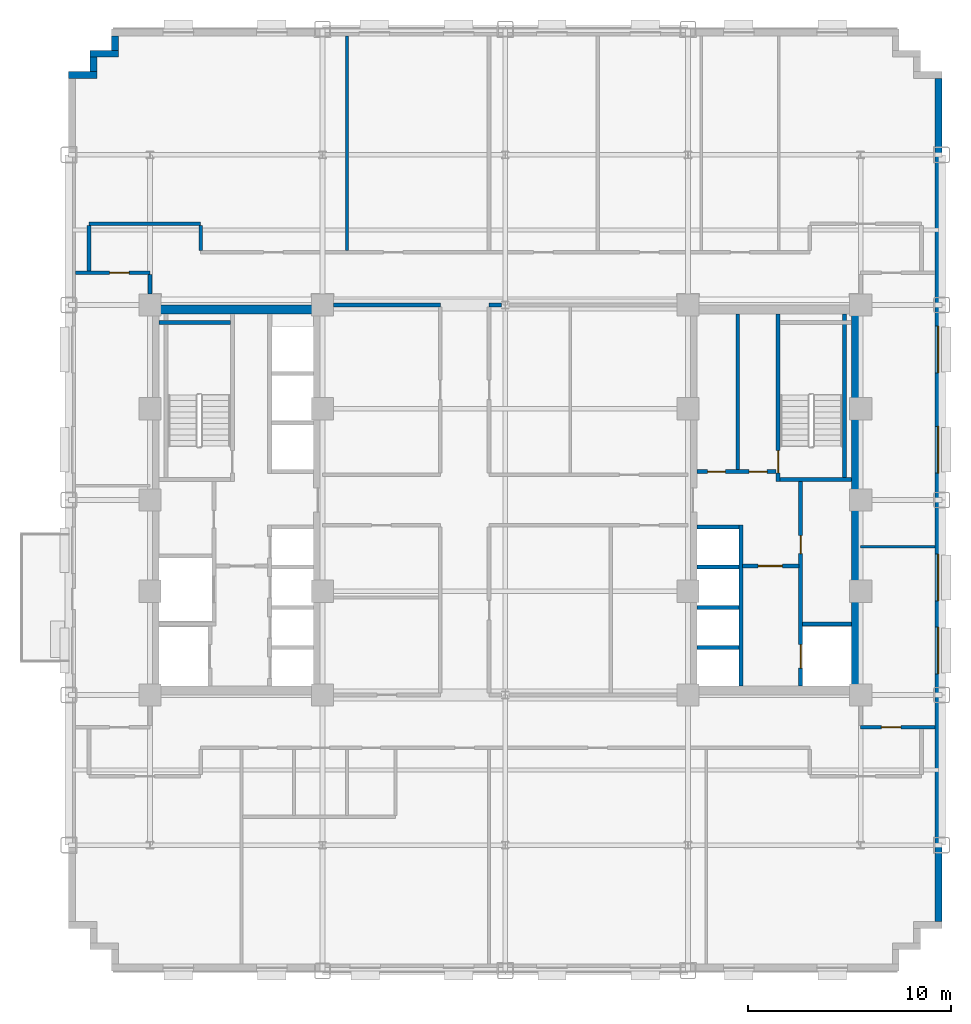
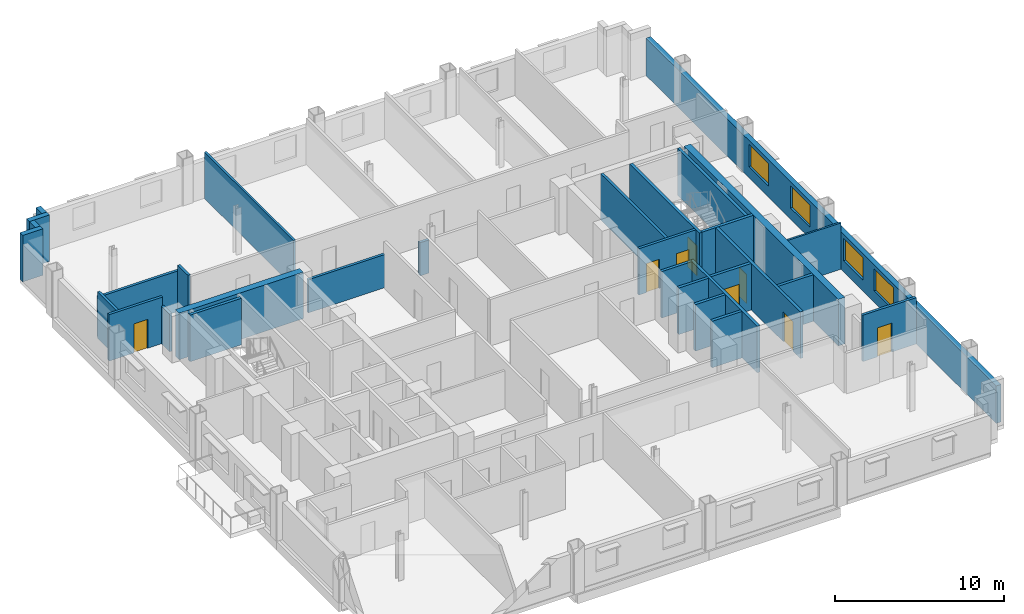
# One storey, part 8 of 13: 31 walls, 8 doors, 4 windows, 12 openings.
"""IFC4 building model written with IfcOpenShell, lengths in metres."""

from ifc_helpers import new_model, si_unit, direction, frame, frame_2d, origin, place, context, subcontext, project, spatial, rectangle, extrude, source, transform, mapped, material, layer, layer_set, type_object, type_shapes, element, fill, save


model = new_model("IFC4")

# Units and contexts
model_context = context("Model", 3, precision=1e-05, world=origin(), true_north=direction((0.0, 1.0)))
body_context = subcontext(model_context, "Body", "Model", "MODEL_VIEW")
ifc_project = project(units=[si_unit("LENGTHUNIT", "METRE"), si_unit("AREAUNIT", "SQUARE_METRE"), si_unit("VOLUMEUNIT", "CUBIC_METRE"), si_unit("PLANEANGLEUNIT", "RADIAN"), si_unit("MASSUNIT", "GRAM", prefix="KILO")], contexts=[model_context])

# Site, building, storey
site_placement = place(None, origin())
site = spatial("IfcSite", under=ifc_project, at=site_placement, CompositionType="ELEMENT")
building_placement = place(site_placement, origin())
building = spatial("IfcBuilding", under=site, at=building_placement, Name="Nuvemarco Arch Tower", CompositionType="ELEMENT")
storey_placement = place(building_placement, frame((0.0, 0.0, 78.699951171875)))
storey = spatial("IfcBuildingStorey", under=building, at=storey_placement, Name="L20", CompositionType="ELEMENT", Elevation=78.699951171875)

# Wall, openings, windows
ifc_material_1 = material(Name="Precast concrete C45/55", Category="concrete")
ifc_layer_1 = layer(ifc_material_1, 0.340087890625, Name="EW-LOW-340")
ifc_layer_set_1 = layer_set([ifc_layer_1], Name="Precast concrete C45/55")
wall_type_1 = type_object("IfcWallType", Name="EW-LOW-340", PredefinedType="STANDARD", material=ifc_layer_set_1)
wall_1_placement = place(storey_placement, frame((21.330078125, -20.763916015625, 0.0), z_axis=(0.0, 0.0, 1.0), x_axis=(0.0, 1.0, 0.0)))
wall_1 = element("IfcWall", 1, at=wall_1_placement, inside=storey, type_object=wall_type_1, Name="L20 exterior precast facade wall 6", PredefinedType="STANDARD", context=body_context, shape_type="SweptSolid", body=[
    extrude(rectangle(XDim=41.52783203125, YDim=0.340087890625, at=frame_2d((20.763916015625, 0.0))), origin(), (0.0, 0.0, 1.0), 2.705078125),
])
opening_1_placement = place(wall_1_placement, frame((12.202392578125, 0.0, 0.800048828125)))
opening_1 = element("IfcOpeningElement", 2, at=opening_1_placement, cuts=wall_1, Name="Opening WN-10", PredefinedType="OPENING", context=body_context, shape_type="SweptSolid", body=[
    extrude(rectangle(XDim=2.300048828125, YDim=1.6201171875, at=frame_2d((1.14990234375, 0.81005859375))), frame((0.0, 0.179931640625, 0.0), z_axis=(0.0, -1.0, 0.0), x_axis=(1.0, 0.0, 0.0)), (0.0, 0.0, 1.0), 0.360107421875),
])
opening_2_placement = place(wall_1_placement, frame((15.79345703125, 0.0, 0.800048828125)))
opening_2 = element("IfcOpeningElement", 3, at=opening_2_placement, cuts=wall_1, Name="Opening WN-10", PredefinedType="OPENING", context=body_context, shape_type="SweptSolid", body=[
    extrude(rectangle(XDim=2.300048828125, YDim=1.6201171875, at=frame_2d((1.14990234375, 0.81005859375))), frame((0.0, 0.179931640625, 0.0), z_axis=(0.0, -1.0, 0.0), x_axis=(1.0, 0.0, 0.0)), (0.0, 0.0, 1.0), 0.360107421875),
])
opening_3_placement = place(wall_1_placement, frame((22.08447265625, 0.0, 0.800048828125)))
opening_3 = element("IfcOpeningElement", 4, at=opening_3_placement, cuts=wall_1, Name="Opening WN-10", PredefinedType="OPENING", context=body_context, shape_type="SweptSolid", body=[
    extrude(rectangle(XDim=2.300048828125, YDim=1.6201171875, at=frame_2d((1.14990234375, 0.81005859375))), frame((0.0, 0.179931640625, 0.0), z_axis=(0.0, -1.0, 0.0), x_axis=(1.0, 0.0, 0.0)), (0.0, 0.0, 1.0), 0.360107421875),
])
opening_4_placement = place(wall_1_placement, frame((27.025390625, 0.0, 0.800048828125)))
opening_4 = element("IfcOpeningElement", 5, at=opening_4_placement, cuts=wall_1, Name="Opening WN-10", PredefinedType="OPENING", context=body_context, shape_type="SweptSolid", body=[
    extrude(rectangle(XDim=2.300048828125, YDim=1.6201171875, at=frame_2d((1.14990234375, 0.81005859375))), frame((0.0, 0.179931640625, 0.0), z_axis=(0.0, -1.0, 0.0), x_axis=(1.0, 0.0, 0.0)), (0.0, 0.0, 1.0), 0.360107421875),
])
ifc_material_2 = material(Name="Insulated solar-control glass", Category="glass")
window_type = type_object("IfcWindowType", Name="WN-STEP-2300x1700", PartitioningType="DOUBLE_PANEL_VERTICAL", PredefinedType="WINDOW", material=ifc_material_2)
shared_shape_1 = source(origin(), body_context, "Body", "SweptSolid", [
    extrude(rectangle(XDim=2.300048828125, YDim=1.6201171875, at=frame_2d((1.14990234375, 0.81005859375))), frame((0.0, 0.030029296875, 0.0), z_axis=(0.0, -1.0, 0.0), x_axis=(1.0, 0.0, 0.0)), (0.0, 0.0, 1.0), 0.06005859375),
])
type_shapes(window_type, [shared_shape_1])
window_1_placement = place(opening_1_placement, origin())
window_1 = element("IfcWindow", 6, at=window_1_placement, inside=storey, type_object=window_type, Name="L20 punched facade window 3", OverallHeight=1.6201171875, OverallWidth=2.300048828125, PartitioningType="SINGLE_PANEL", PredefinedType="WINDOW", context=body_context, shape_type="MappedRepresentation", body=[
    mapped(shared_shape_1, transform((0.0, 0.0, 0.0), scale=1.0)),
])
fill(opening_1, window_1)
window_2_placement = place(opening_2_placement, origin())
window_2 = element("IfcWindow", 7, at=window_2_placement, inside=storey, type_object=window_type, Name="L20 punched facade window 4", OverallHeight=1.6201171875, OverallWidth=2.300048828125, PartitioningType="SINGLE_PANEL", PredefinedType="WINDOW", context=body_context, shape_type="MappedRepresentation", body=[
    mapped(shared_shape_1, transform((0.0, 0.0, 0.0), scale=1.0)),
])
fill(opening_2, window_2)
window_3_placement = place(opening_3_placement, origin())
window_3 = element("IfcWindow", 8, at=window_3_placement, inside=storey, type_object=window_type, Name="L20 punched facade window 5", OverallHeight=1.6201171875, OverallWidth=2.300048828125, PartitioningType="SINGLE_PANEL", PredefinedType="WINDOW", context=body_context, shape_type="MappedRepresentation", body=[
    mapped(shared_shape_1, transform((0.0, 0.0, 0.0), scale=1.0)),
])
fill(opening_3, window_3)
window_4_placement = place(opening_4_placement, origin())
window_4 = element("IfcWindow", 9, at=window_4_placement, inside=storey, type_object=window_type, Name="L20 punched facade window 6", OverallHeight=1.6201171875, OverallWidth=2.300048828125, PartitioningType="SINGLE_PANEL", PredefinedType="WINDOW", context=body_context, shape_type="MappedRepresentation", body=[
    mapped(shared_shape_1, transform((0.0, 0.0, 0.0), scale=1.0)),
])
fill(opening_4, window_4)

# Walls
wall_2_placement = place(storey_placement, frame((-19.22998046875, 22.14599609375, 0.0), z_axis=(0.0, 0.0, 1.0), x_axis=(0.0, 1.0, 0.0)))
element("IfcWall", 10, at=wall_2_placement, inside=storey, type_object=wall_type_1, Name="L20 exterior precast facade wall 12", PredefinedType="STANDARD", context=body_context, shape_type="SweptSolid", body=[
    extrude(rectangle(XDim=0.718017578125, YDim=0.340087890625, at=frame_2d((0.35888671875, 0.0))), origin(), (0.0, 0.0, 1.0), 3.360107421875),
])
wall_3_placement = place(storey_placement, frame((-20.449951171875, 21.97998046875, 0.0), z_axis=(0.0, 0.0, 1.0), x_axis=(1.0, 0.0, 0.0)))
element("IfcWall", 11, at=wall_3_placement, inside=storey, type_object=wall_type_1, Name="L20 exterior precast facade wall 13", PredefinedType="STANDARD", context=body_context, shape_type="SweptSolid", body=[
    extrude(rectangle(XDim=1.389892578125, YDim=0.340087890625, at=frame_2d((0.69482421875, 0.0))), origin(), (0.0, 0.0, 1.0), 3.360107421875),
])
wall_4_placement = place(storey_placement, frame((-20.280029296875, 21.095947265625, 0.0), z_axis=(0.0, 0.0, 1.0), x_axis=(0.0, 1.0, 0.0)))
element("IfcWall", 12, at=wall_4_placement, inside=storey, type_object=wall_type_1, Name="L20 exterior precast facade wall 14", PredefinedType="STANDARD", context=body_context, shape_type="SweptSolid", body=[
    extrude(rectangle(XDim=0.718017578125, YDim=0.340087890625, at=frame_2d((0.35888671875, 0.0))), origin(), (0.0, 0.0, 1.0), 3.360107421875),
])
wall_5_placement = place(storey_placement, frame((-21.5, 20.929931640625, 0.0), z_axis=(0.0, 0.0, 1.0), x_axis=(1.0, 0.0, 0.0)))
element("IfcWall", 13, at=wall_5_placement, inside=storey, type_object=wall_type_1, Name="L20 exterior precast facade wall 15", PredefinedType="STANDARD", context=body_context, shape_type="SweptSolid", body=[
    extrude(rectangle(XDim=1.389892578125, YDim=0.340087890625, at=frame_2d((0.69482421875, 0.0))), origin(), (0.0, 0.0, 1.0), 3.360107421875),
])
ifc_material_3 = material(Name="Concrete C60/75", Category="concrete")
ifc_layer_2 = layer(ifc_material_3, 0.449951171875, Name="WL-CORE-450")
ifc_layer_set_2 = layer_set([ifc_layer_2], Name="Concrete C60/75")
wall_type_2 = type_object("IfcWallType", Name="WL-CORE-450", PredefinedType="SHEAR", material=ifc_layer_set_2)
wall_6_placement = place(storey_placement, frame((-17.5, 9.375, 0.0), z_axis=(0.0, 0.0, 1.0), x_axis=(1.0, 0.0, 0.0)))
element("IfcWall", 14, at=wall_6_placement, inside=storey, type_object=wall_type_2, Name="L20 W-core shear wall N", PredefinedType="SHEAR", context=body_context, shape_type="SweptSolid", body=[
    extrude(rectangle(XDim=8.5, YDim=0.449951171875, at=frame_2d((4.25, 0.0))), origin(), (0.0, 0.0, 1.0), 3.3701171875),
])
wall_7_placement = place(storey_placement, frame((17.27490234375, -9.155029296875, 0.0), z_axis=(0.0, 0.0, 1.0), x_axis=(0.0, 1.0, 0.0)))
element("IfcWall", 15, at=wall_7_placement, inside=storey, type_object=wall_type_2, Name="L20 E-core shear wall E", PredefinedType="SHEAR", context=body_context, shape_type="SweptSolid", body=[
    extrude(rectangle(XDim=18.31005859375, YDim=0.449951171875, at=frame_2d((9.155029296875, 0.0))), origin(), (0.0, 0.0, 1.0), 3.3701171875),
])

# Wall, openings, doors
ifc_material_4 = material(Name="Fire-rated gypsum drywall partition")
ifc_layer_3 = layer(ifc_material_4, 0.179931640625, Name="WL-CORR-180")
ifc_layer_set_3 = layer_set([ifc_layer_3], Name="Fire-rated gypsum drywall partition")
wall_type_3 = type_object("IfcWallType", Name="WL-CORR-180", PredefinedType="PARTITIONING", material=ifc_layer_set_3)
wall_8_placement = place(storey_placement, frame((9.445068359375, 1.39990234375, 0.0), z_axis=(0.0, 0.0, 1.0), x_axis=(1.0, 0.0, 0.0)))
wall_8 = element("IfcWall", 16, at=wall_8_placement, inside=storey, type_object=wall_type_3, Name="L20 interior wall IW-L20-EK-S", PredefinedType="PARTITIONING", context=body_context, shape_type="SweptSolid", body=[
    extrude(rectangle(XDim=3.89990234375, YDim=0.179931640625, at=frame_2d((1.949951171875, 0.0))), origin(), (0.0, 0.0, 1.0), 3.360107421875),
])
opening_5_placement = place(wall_8_placement, frame((0.514892578125, 0.0, 0.0)))
opening_5 = element("IfcOpeningElement", 17, at=opening_5_placement, cuts=wall_8, Name="Opening FD-4", PredefinedType="OPENING", context=body_context, shape_type="SweptSolid", body=[
    extrude(rectangle(XDim=0.8798828125, YDim=2.10009765625, at=frame_2d((0.43994140625, 1.050048828125))), frame((0.0, 0.099853515625, 0.0), z_axis=(0.0, -1.0, 0.0), x_axis=(1.0, 0.0, 0.0)), (0.0, 0.0, 1.0), 0.199951171875),
])
opening_6_placement = place(wall_8_placement, frame((2.56494140625, 0.0, 0.0)))
opening_6 = element("IfcOpeningElement", 18, at=opening_6_placement, cuts=wall_8, Name="Opening FD-4", PredefinedType="OPENING", context=body_context, shape_type="SweptSolid", body=[
    extrude(rectangle(XDim=0.8798828125, YDim=2.10009765625, at=frame_2d((0.43994140625, 1.050048828125))), frame((0.0, 0.099853515625, 0.0), z_axis=(0.0, -1.0, 0.0), x_axis=(1.0, 0.0, 0.0)), (0.0, 0.0, 1.0), 0.199951171875),
])
ifc_material_5 = material(Name="Anodised steel fire door", Category="steel")
door_type_1 = type_object("IfcDoorType", Name="DR-RISER-FD", OperationType="NOTDEFINED", PredefinedType="DOOR", material=ifc_material_5)
shared_shape_2 = source(origin(), body_context, "Body", "SweptSolid", [
    extrude(rectangle(XDim=0.8798828125, YDim=2.10009765625, at=frame_2d((0.43994140625, 1.050048828125))), frame((0.0, 0.02490234375, 0.0), z_axis=(0.0, -1.0, 0.0), x_axis=(1.0, 0.0, 0.0)), (0.0, 0.0, 1.0), 0.050048828125),
])
type_shapes(door_type_1, [shared_shape_2])
door_1_placement = place(opening_5_placement, origin())
door_1 = element("IfcDoor", 19, at=door_1_placement, inside=storey, type_object=door_type_1, Name="L20 door FD-L20-EK2A", OperationType="SINGLE_SWING_LEFT", OverallHeight=2.10009765625, OverallWidth=0.8798828125, PredefinedType="DOOR", context=body_context, shape_type="MappedRepresentation", body=[
    mapped(shared_shape_2, transform((0.0, 0.0, 0.0), scale=1.0)),
])
fill(opening_5, door_1)
door_2_placement = place(opening_6_placement, origin())
door_2 = element("IfcDoor", 20, at=door_2_placement, inside=storey, type_object=door_type_1, Name="L20 door FD-L20-EK2B", OperationType="SINGLE_SWING_RIGHT", OverallHeight=2.10009765625, OverallWidth=0.8798828125, PredefinedType="DOOR", context=body_context, shape_type="MappedRepresentation", body=[
    mapped(shared_shape_2, transform((0.0, 0.0, 0.0), scale=1.0)),
])
fill(opening_6, door_2)

# Wall
wall_9_placement = place(storey_placement, frame((11.449951171875, 1.489990234375, 0.0), z_axis=(0.0, 0.0, 1.0), x_axis=(0.0, 1.0, 0.0)))
element("IfcWall", 21, at=wall_9_placement, inside=storey, type_object=wall_type_3, Name="L20 interior wall IW-L20-EK2", PredefinedType="PARTITIONING", context=body_context, shape_type="SweptSolid", body=[
    extrude(rectangle(XDim=7.6650390625, YDim=0.179931640625, at=frame_2d((3.83251953125, 0.0))), origin(), (0.0, 0.0, 1.0), 3.360107421875),
])

# Wall, opening, door
wall_10_placement = place(storey_placement, frame((17.5, -11.199951171875, 0.0), z_axis=(0.0, 0.0, 1.0), x_axis=(1.0, 0.0, 0.0)))
wall_10 = element("IfcWall", 22, at=wall_10_placement, inside=storey, type_object=wall_type_3, Name="L20 interior wall IW-L20-006", PredefinedType="PARTITIONING", context=body_context, shape_type="SweptSolid", body=[
    extrude(rectangle(XDim=3.659912109375, YDim=0.179931640625, at=frame_2d((1.830078125, 0.0))), origin(), (0.0, 0.0, 1.0), 3.360107421875),
])
opening_7_placement = place(wall_10_placement, frame((1.02001953125, 0.0, 0.0)))
opening_7 = element("IfcOpeningElement", 23, at=opening_7_placement, cuts=wall_10, Name="Opening FD-5", PredefinedType="OPENING", context=body_context, shape_type="SweptSolid", body=[
    extrude(rectangle(XDim=0.9599609375, YDim=2.10009765625, at=frame_2d((0.47998046875, 1.050048828125))), frame((0.0, 0.099853515625, 0.0), z_axis=(0.0, -1.0, 0.0), x_axis=(1.0, 0.0, 0.0)), (0.0, 0.0, 1.0), 0.199951171875),
])
ifc_material_6 = material(Name="Timber fire door", Category="wood")
door_type_2 = type_object("IfcDoorType", Name="DR-CORR-FD", OperationType="NOTDEFINED", PredefinedType="DOOR", material=ifc_material_6)
shared_shape_3 = source(origin(), body_context, "Body", "SweptSolid", [
    extrude(rectangle(XDim=0.9599609375, YDim=2.10009765625, at=frame_2d((0.47998046875, 1.050048828125))), frame((0.0, 0.02490234375, 0.0), z_axis=(0.0, -1.0, 0.0), x_axis=(1.0, 0.0, 0.0)), (0.0, 0.0, 1.0), 0.050048828125),
])
type_shapes(door_type_2, [shared_shape_3])
door_3_placement = place(opening_7_placement, origin())
door_3 = element("IfcDoor", 24, at=door_3_placement, inside=storey, type_object=door_type_2, Name="L20 door DR-L20-E_1", OperationType="SINGLE_SWING_LEFT", OverallHeight=2.10009765625, OverallWidth=0.9599609375, PredefinedType="DOOR", context=body_context, shape_type="MappedRepresentation", body=[
    mapped(shared_shape_3, transform((0.0, 0.0, 0.0), scale=1.0)),
])
fill(opening_7, door_3)

# Walls
wall_11_placement = place(storey_placement, frame((-8.4541015625, 9.60009765625, 0.0), z_axis=(0.0, 0.0, 1.0), x_axis=(1.0, 0.0, 0.0)))
element("IfcWall", 25, at=wall_11_placement, inside=storey, type_object=wall_type_3, Name="L20 interior wall IW-L20-017", PredefinedType="PARTITIONING", context=body_context, shape_type="SweptSolid", body=[
    extrude(rectangle(XDim=5.254150390625, YDim=0.179931640625, at=frame_2d((2.626953125, 0.0))), origin(), (0.0, 0.0, 1.0), 2.405029296875),
])
wall_12_placement = place(storey_placement, frame((-0.800048828125, 9.60009765625, 0.0), z_axis=(0.0, 0.0, 1.0), x_axis=(1.0, 0.0, 0.0)))
element("IfcWall", 26, at=wall_12_placement, inside=storey, type_object=wall_type_3, Name="L20 interior wall IW-L20-018", PredefinedType="PARTITIONING", context=body_context, shape_type="SweptSolid", body=[
    extrude(rectangle(XDim=0.6240234375, YDim=0.179931640625, at=frame_2d((0.31201171875, 0.0))), origin(), (0.0, 0.0, 1.0), 2.405029296875),
])

# Wall, opening, door
wall_13_placement = place(storey_placement, frame((-21.159912109375, 11.199951171875, 0.0), z_axis=(0.0, 0.0, 1.0), x_axis=(1.0, 0.0, 0.0)))
wall_13 = element("IfcWall", 27, at=wall_13_placement, inside=storey, type_object=wall_type_3, Name="L20 interior wall IW-L20-020", PredefinedType="PARTITIONING", context=body_context, shape_type="SweptSolid", body=[
    extrude(rectangle(XDim=3.659912109375, YDim=0.179931640625, at=frame_2d((1.830078125, 0.0))), origin(), (0.0, 0.0, 1.0), 3.360107421875),
])
opening_8_placement = place(wall_13_placement, frame((1.679931640625, 0.0, 0.0)))
opening_8 = element("IfcOpeningElement", 28, at=opening_8_placement, cuts=wall_13, Name="Opening FD-5", PredefinedType="OPENING", context=body_context, shape_type="SweptSolid", body=[
    extrude(rectangle(XDim=0.9599609375, YDim=2.10009765625, at=frame_2d((0.47998046875, 1.050048828125))), frame((0.0, 0.099853515625, 0.0), z_axis=(0.0, -1.0, 0.0), x_axis=(1.0, 0.0, 0.0)), (0.0, 0.0, 1.0), 0.199951171875),
])
door_4_placement = place(opening_8_placement, origin())
door_4 = element("IfcDoor", 29, at=door_4_placement, inside=storey, type_object=door_type_2, Name="L20 door DR-L20-W_2", OperationType="SINGLE_SWING_RIGHT", OverallHeight=2.10009765625, OverallWidth=0.9599609375, PredefinedType="DOOR", context=body_context, shape_type="MappedRepresentation", body=[
    mapped(shared_shape_3, transform((0.0, 0.0, 0.0), scale=1.0)),
])
fill(opening_8, door_4)

# Walls
wall_14_placement = place(storey_placement, frame((-20.5, 13.60009765625, 0.0), z_axis=(0.0, 0.0, 1.0), x_axis=(1.0, 0.0, 0.0)))
element("IfcWall", 30, at=wall_14_placement, inside=storey, type_object=wall_type_3, Name="L20 interior wall IW-L20-023", PredefinedType="PARTITIONING", context=body_context, shape_type="SweptSolid", body=[
    extrude(rectangle(XDim=5.5, YDim=0.179931640625, at=frame_2d((2.75, 0.0))), origin(), (0.0, 0.0, 1.0), 2.942138671875),
])
wall_15_placement = place(storey_placement, frame((-20.5, 11.285888671875, 0.0), z_axis=(0.0, 0.0, 1.0), x_axis=(0.0, 1.0, 0.0)))
element("IfcWall", 31, at=wall_15_placement, inside=storey, type_object=wall_type_3, Name="L20 interior wall IW-L20-026", PredefinedType="PARTITIONING", context=body_context, shape_type="SweptSolid", body=[
    extrude(rectangle(XDim=2.22802734375, YDim=0.179931640625, at=frame_2d((1.114013671875, 0.0))), origin(), (0.0, 0.0, 1.0), 3.360107421875),
])
wall_16_placement = place(storey_placement, frame((-17.5, 10.14599609375, 0.0), z_axis=(0.0, 0.0, 1.0), x_axis=(0.0, 1.0, 0.0)))
element("IfcWall", 32, at=wall_16_placement, inside=storey, type_object=wall_type_3, Name="L20 interior wall IW-L20-028", PredefinedType="PARTITIONING", context=body_context, shape_type="SweptSolid", body=[
    extrude(rectangle(XDim=0.968017578125, YDim=0.179931640625, at=frame_2d((0.48388671875, 0.0))), origin(), (0.0, 0.0, 1.0), 2.738037109375),
])
wall_17_placement = place(storey_placement, frame((-15.0, 12.285888671875, 0.0), z_axis=(0.0, 0.0, 1.0), x_axis=(0.0, 1.0, 0.0)))
element("IfcWall", 33, at=wall_17_placement, inside=storey, type_object=wall_type_3, Name="L20 interior wall IW-L20-030", PredefinedType="PARTITIONING", context=body_context, shape_type="SweptSolid", body=[
    extrude(rectangle(XDim=1.22802734375, YDim=0.179931640625, at=frame_2d((0.614013671875, 0.0))), origin(), (0.0, 0.0, 1.0), 3.360107421875),
])
ifc_material_7 = material(Name="Glazed acoustic office partition")
ifc_layer_4 = layer(ifc_material_7, 0.1298828125, Name="WL-EXEC-130")
ifc_layer_set_4 = layer_set([ifc_layer_4], Name="Glazed acoustic office partition")
wall_type_4 = type_object("IfcWallType", Name="WL-EXEC-130", PredefinedType="PARTITIONING", material=ifc_layer_set_4)
wall_18_placement = place(storey_placement, frame((17.5, -2.300048828125, 0.0), z_axis=(0.0, 0.0, 1.0), x_axis=(1.0, 0.0, 0.0)))
element("IfcWall", 34, at=wall_18_placement, inside=storey, type_object=wall_type_4, Name="L20 interior wall IW-L20-011", PredefinedType="PARTITIONING", context=body_context, shape_type="SweptSolid", body=[
    extrude(rectangle(XDim=3.659912109375, YDim=0.1298828125, at=frame_2d((1.830078125, 0.0))), origin(), (0.0, 0.0, 1.0), 3.360107421875),
])
ifc_material_8 = material(Name="Gypsum plasterboard partition")
ifc_layer_5 = layer(ifc_material_8, 0.139892578125, Name="WL-ROOM-140")
ifc_layer_set_5 = layer_set([ifc_layer_5], Name="Gypsum plasterboard partition")
wall_type_5 = type_object("IfcWallType", Name="WL-ROOM-140", PredefinedType="PARTITIONING", material=ifc_layer_set_5)
wall_19_placement = place(storey_placement, frame((-7.800048828125, 12.285888671875, 0.0), z_axis=(0.0, 0.0, 1.0), x_axis=(0.0, 1.0, 0.0)))
element("IfcWall", 35, at=wall_19_placement, inside=storey, type_object=wall_type_5, Name="L20 interior wall IW-L20-034", PredefinedType="PARTITIONING", context=body_context, shape_type="SweptSolid", body=[
    extrude(rectangle(XDim=10.57421875, YDim=0.139892578125, at=frame_2d((5.287109375, 0.0))), origin(), (0.0, 0.0, 1.0), 3.360107421875),
])
ifc_material_9 = material(Name="Concrete C50/60", Category="concrete")
ifc_layer_6 = layer(ifc_material_9, 0.199951171875, Name="WL-SHAFT-220")
ifc_layer_set_6 = layer_set([ifc_layer_6], Name="Concrete C50/60")
wall_type_6 = type_object("IfcWallType", Name="WL-SHAFT-220", PredefinedType="SHEAR", material=ifc_layer_set_6)
wall_20_placement = place(storey_placement, frame((-17.054931640625, 8.75, 0.0), z_axis=(0.0, 0.0, 1.0), x_axis=(1.0, 0.0, 0.0)))
element("IfcWall", 36, at=wall_20_placement, inside=storey, type_object=wall_type_6, Name="L20 structural shaft wall SW-L20-W-ST1N", PredefinedType="SHEAR", context=body_context, shape_type="SweptSolid", body=[
    extrude(rectangle(XDim=3.52001953125, YDim=0.199951171875, at=frame_2d((1.760009765625, 0.0))), origin(), (0.0, 0.0, 1.0), 3.3701171875),
])

# Wall, opening, door
wall_21_placement = place(storey_placement, frame((13.43994140625, 0.89990234375, 0.0), z_axis=(0.0, 0.0, 1.0), x_axis=(0.0, 1.0, 0.0)))
wall_21 = element("IfcWall", 37, at=wall_21_placement, inside=storey, type_object=wall_type_6, Name="L20 structural shaft wall SW-L20-E-ST2W", PredefinedType="SHEAR", context=body_context, shape_type="SweptSolid", body=[
    extrude(rectangle(XDim=8.255126953125, YDim=0.199951171875, at=frame_2d((4.12744140625, 0.0))), origin(), (0.0, 0.0, 1.0), 3.3701171875),
])
opening_9_placement = place(wall_21_placement, frame((0.429931640625, 0.0, 0.0)))
opening_9 = element("IfcOpeningElement", 38, at=opening_9_placement, cuts=wall_21, Name="Opening FD-1", PredefinedType="OPENING", context=body_context, shape_type="SweptSolid", body=[
    extrude(rectangle(XDim=1.10009765625, YDim=2.14990234375, at=frame_2d((0.550048828125, 1.074951171875))), frame((0.0, 0.10986328125, 0.0), z_axis=(0.0, -1.0, 0.0), x_axis=(1.0, 0.0, 0.0)), (0.0, 0.0, 1.0), 0.219970703125),
])
door_type_3 = type_object("IfcDoorType", Name="DR-STAIR-FD", OperationType="NOTDEFINED", PredefinedType="DOOR", material=ifc_material_5)
shared_shape_4 = source(origin(), body_context, "Body", "SweptSolid", [
    extrude(rectangle(XDim=1.10009765625, YDim=2.14990234375, at=frame_2d((0.550048828125, 1.074951171875))), frame((0.0, 0.02490234375, 0.0), z_axis=(0.0, -1.0, 0.0), x_axis=(1.0, 0.0, 0.0)), (0.0, 0.0, 1.0), 0.050048828125),
])
type_shapes(door_type_3, [shared_shape_4])
door_5_placement = place(opening_9_placement, origin())
door_5 = element("IfcDoor", 39, at=door_5_placement, inside=storey, type_object=door_type_3, Name="L20 door FD-L20-ST2", OperationType="SINGLE_SWING_RIGHT", OverallHeight=2.14990234375, OverallWidth=1.10009765625, PredefinedType="DOOR", context=body_context, shape_type="MappedRepresentation", body=[
    mapped(shared_shape_4, transform((0.0, 0.0, 0.0), scale=1.0)),
])
fill(opening_9, door_5)

# Walls
wall_22_placement = place(storey_placement, frame((13.534912109375, 1.0, 0.0), z_axis=(0.0, 0.0, 1.0), x_axis=(1.0, 0.0, 0.0)))
element("IfcWall", 40, at=wall_22_placement, inside=storey, type_object=wall_type_6, Name="L20 structural shaft wall SW-L20-E-ST2S", PredefinedType="SHEAR", context=body_context, shape_type="SweptSolid", body=[
    extrude(rectangle(XDim=3.52001953125, YDim=0.199951171875, at=frame_2d((1.760009765625, 0.0))), origin(), (0.0, 0.0, 1.0), 3.3701171875),
])
wall_23_placement = place(storey_placement, frame((16.699951171875, 1.094970703125, 0.0), z_axis=(0.0, 0.0, 1.0), x_axis=(0.0, 1.0, 0.0)))
element("IfcWall", 41, at=wall_23_placement, inside=storey, type_object=wall_type_6, Name="L20 structural shaft wall SW-L20-E-ST2E", PredefinedType="SHEAR", context=body_context, shape_type="SweptSolid", body=[
    extrude(rectangle(XDim=8.06005859375, YDim=0.199951171875, at=frame_2d((4.030029296875, 0.0))), origin(), (0.0, 0.0, 1.0), 3.3701171875),
])

# Wall, openings, doors
wall_24_placement = place(storey_placement, frame((14.550048828125, -9.155029296875, 0.0), z_axis=(0.0, 0.0, 1.0), x_axis=(0.0, 1.0, 0.0)))
wall_24 = element("IfcWall", 42, at=wall_24_placement, inside=storey, type_object=wall_type_6, Name="L20 structural shaft wall SW-L20-E-SHW", PredefinedType="SHEAR", context=body_context, shape_type="SweptSolid", body=[
    extrude(rectangle(XDim=10.06005859375, YDim=0.199951171875, at=frame_2d((5.030029296875, 0.0))), origin(), (0.0, 0.0, 1.0), 3.3701171875),
])
opening_10_placement = place(wall_24_placement, frame((6.514892578125, 0.0, 0.0)))
opening_10 = element("IfcOpeningElement", 43, at=opening_10_placement, cuts=wall_24, Name="Opening FD-4", PredefinedType="OPENING", context=body_context, shape_type="SweptSolid", body=[
    extrude(rectangle(XDim=0.8798828125, YDim=2.10009765625, at=frame_2d((0.43994140625, 1.050048828125))), frame((0.0, 0.10986328125, 0.0), z_axis=(0.0, -1.0, 0.0), x_axis=(1.0, 0.0, 0.0)), (0.0, 0.0, 1.0), 0.219970703125),
])
opening_11_placement = place(wall_24_placement, frame((0.8798828125, 0.0, 0.0)))
opening_11 = element("IfcOpeningElement", 44, at=opening_11_placement, cuts=wall_24, Name="Opening LD-2", PredefinedType="OPENING", context=body_context, shape_type="SweptSolid", body=[
    extrude(rectangle(XDim=1.14990234375, YDim=2.14990234375, at=frame_2d((0.574951171875, 1.074951171875))), frame((0.0, 0.10986328125, 0.0), z_axis=(0.0, -1.0, 0.0), x_axis=(1.0, 0.0, 0.0)), (0.0, 0.0, 1.0), 0.219970703125),
])
door_6_placement = place(opening_10_placement, origin())
door_6 = element("IfcDoor", 45, at=door_6_placement, inside=storey, type_object=door_type_1, Name="L20 door FD-L20-ERIS", OperationType="SINGLE_SWING_RIGHT", OverallHeight=2.10009765625, OverallWidth=0.8798828125, PredefinedType="DOOR", context=body_context, shape_type="MappedRepresentation", body=[
    mapped(shared_shape_2, transform((0.0, 0.0, 0.0), scale=1.0)),
])
fill(opening_10, door_6)
ifc_material_10 = material(Name="Stainless steel lift door", Category="steel")
door_type_4 = type_object("IfcDoorType", Name="DR-LIFT-FIRE", OperationType="DOUBLE_DOOR_SLIDING", PredefinedType="DOOR", material=ifc_material_10)
shared_shape_5 = source(origin(), body_context, "Body", "SweptSolid", [
    extrude(rectangle(XDim=1.14990234375, YDim=2.14990234375, at=frame_2d((0.574951171875, 1.074951171875))), frame((0.0, 0.02490234375, 0.0), z_axis=(0.0, -1.0, 0.0), x_axis=(1.0, 0.0, 0.0)), (0.0, 0.0, 1.0), 0.050048828125),
])
type_shapes(door_type_4, [shared_shape_5])
door_7_placement = place(opening_11_placement, origin())
door_7 = element("IfcDoor", 46, at=door_7_placement, inside=storey, type_object=door_type_4, Name="L20 Lift landing sliding door FFL-2", OperationType="DOUBLE_DOOR_SLIDING", OverallHeight=2.14990234375, OverallWidth=1.14990234375, PredefinedType="DOOR", context=body_context, shape_type="MappedRepresentation", body=[
    mapped(shared_shape_5, transform((0.0, 0.0, 0.0), scale=1.0)),
])
fill(opening_11, door_7)

# Walls
wall_25_placement = place(storey_placement, frame((14.64501953125, -6.10009765625, 0.0), z_axis=(0.0, 0.0, 1.0), x_axis=(1.0, 0.0, 0.0)))
element("IfcWall", 47, at=wall_25_placement, inside=storey, type_object=wall_type_6, Name="L20 structural shaft wall SW-L20-E-SH1", PredefinedType="SHEAR", context=body_context, shape_type="SweptSolid", body=[
    extrude(rectangle(XDim=2.409912109375, YDim=0.199951171875, at=frame_2d((1.205078125, 0.0))), origin(), (0.0, 0.0, 1.0), 3.3701171875),
])
wall_26_placement = place(storey_placement, frame((11.60009765625, -9.155029296875, 0.0), z_axis=(0.0, 0.0, 1.0), x_axis=(0.0, 1.0, 0.0)))
element("IfcWall", 48, at=wall_26_placement, inside=storey, type_object=wall_type_6, Name="L20 structural shaft wall SW-L20-E-PME", PredefinedType="SHEAR", context=body_context, shape_type="SweptSolid", body=[
    extrude(rectangle(XDim=7.925048828125, YDim=0.199951171875, at=frame_2d((3.96240234375, 0.0))), origin(), (0.0, 0.0, 1.0), 3.3701171875),
])

# Wall, opening, door
wall_27_placement = place(storey_placement, frame((11.695068359375, -3.25, 0.0), z_axis=(0.0, 0.0, 1.0), x_axis=(1.0, 0.0, 0.0)))
wall_27 = element("IfcWall", 49, at=wall_27_placement, inside=storey, type_object=wall_type_6, Name="L20 structural shaft wall SW-L20-E-FFN", PredefinedType="SHEAR", context=body_context, shape_type="SweptSolid", body=[
    extrude(rectangle(XDim=2.760009765625, YDim=0.199951171875, at=frame_2d((1.3798828125, 0.0))), origin(), (0.0, 0.0, 1.0), 3.3701171875),
])
opening_12_placement = place(wall_27_placement, frame((0.7548828125, 0.0, 0.0)))
opening_12 = element("IfcOpeningElement", 50, at=opening_12_placement, cuts=wall_27, Name="Opening FD-2", PredefinedType="OPENING", context=body_context, shape_type="SweptSolid", body=[
    extrude(rectangle(XDim=1.199951171875, YDim=2.14990234375, at=frame_2d((0.60009765625, 1.074951171875))), frame((0.0, 0.10986328125, 0.0), z_axis=(0.0, -1.0, 0.0), x_axis=(1.0, 0.0, 0.0)), (0.0, 0.0, 1.0), 0.219970703125),
])
door_type_5 = type_object("IfcDoorType", Name="DR-FFLOB-FD", OperationType="NOTDEFINED", PredefinedType="DOOR", material=ifc_material_5)
shared_shape_6 = source(origin(), body_context, "Body", "SweptSolid", [
    extrude(rectangle(XDim=1.199951171875, YDim=2.14990234375, at=frame_2d((0.60009765625, 1.074951171875))), frame((0.0, 0.02490234375, 0.0), z_axis=(0.0, -1.0, 0.0), x_axis=(1.0, 0.0, 0.0)), (0.0, 0.0, 1.0), 0.050048828125),
])
type_shapes(door_type_5, [shared_shape_6])
door_8_placement = place(opening_12_placement, origin())
door_8 = element("IfcDoor", 51, at=door_8_placement, inside=storey, type_object=door_type_5, Name="L20 door FD-L20-EFF2", OperationType="SINGLE_SWING_RIGHT", OverallHeight=2.14990234375, OverallWidth=1.199951171875, PredefinedType="DOOR", context=body_context, shape_type="MappedRepresentation", body=[
    mapped(shared_shape_6, transform((0.0, 0.0, 0.0), scale=1.0)),
])
fill(opening_12, door_8)

# Walls
for number, where, z_axis, x_axis, name in (
    (52, (9.445068359375, -7.27001953125, 0.0), (0.0, 0.0, 1.0), (1.0, 0.0, 0.0), "L20 structural shaft wall SW-L20-E-PMD1"),
    (53, (9.445068359375, -5.2900390625, 0.0), (0.0, 0.0, 1.0), (1.0, 0.0, 0.0), "L20 structural shaft wall SW-L20-E-PMD2"),
    (54, (9.445068359375, -3.31005859375, 0.0), (0.0, 0.0, 1.0), (1.0, 0.0, 0.0), "L20 structural shaft wall SW-L20-E-PMD3"),
    (55, (9.445068359375, -1.330078125, 0.0), (0.0, 0.0, 1.0), (1.0, 0.0, 0.0), "L20 structural shaft wall SW-L20-E-PMD4"),
):
    element("IfcWall", number, at=place(storey_placement, frame(where, z_axis=z_axis, x_axis=x_axis)), inside=storey, type_object=wall_type_6, Name=name, PredefinedType="SHEAR", context=body_context, shape_type="SweptSolid", body=[
        extrude(rectangle(XDim=2.059814453125, YDim=0.199951171875, at=frame_2d((1.02978515625, 0.0))), origin(), (0.0, 0.0, 1.0), 3.3701171875),
    ])

save(model, "model.ifc")
